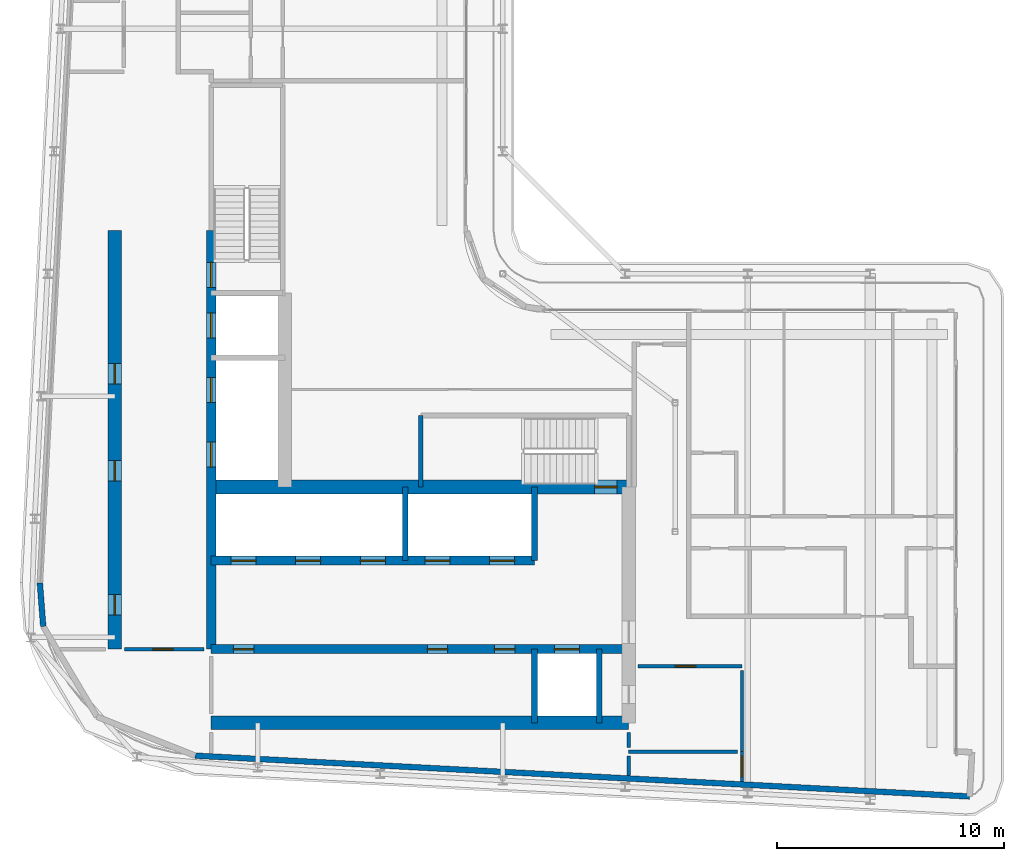
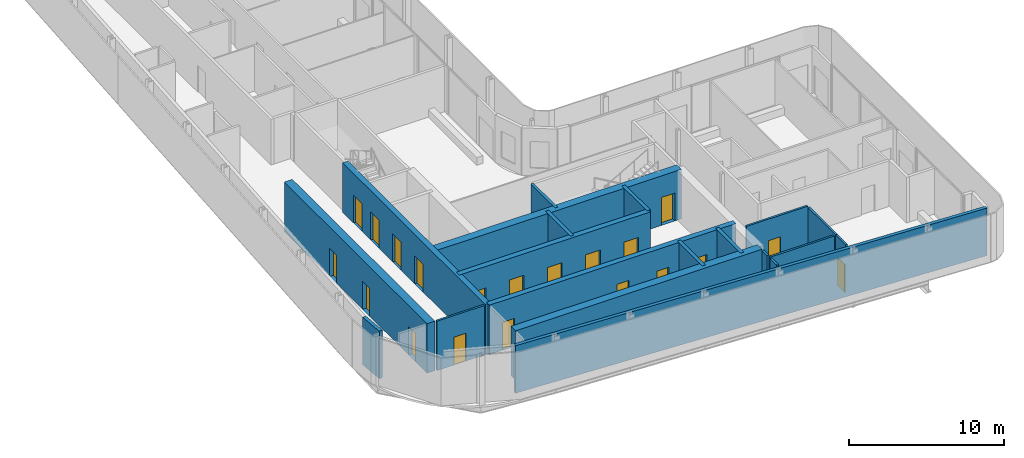
# One storey, part 11 of 21: 20 doors, 20 walls, 20 openings.
"""IFC4 building model written with IfcOpenShell, lengths in metres."""

from ifc_helpers import new_model, si_unit, direction, frame, frame_2d, origin, place, context, subcontext, project, spatial, rectangle, extrude, source, transform, mapped, material, layer, layer_set, type_object, element, fill, save


model = new_model("IFC4")

# Units and contexts
model_context = context("Model", 3, precision=1e-05, world=origin(), true_north=direction((0.0, 1.0)))
body_context = subcontext(model_context, "Body", "Model", "MODEL_VIEW")
ifc_project = project(units=[si_unit("LENGTHUNIT", "METRE"), si_unit("AREAUNIT", "SQUARE_METRE"), si_unit("VOLUMEUNIT", "CUBIC_METRE"), si_unit("PLANEANGLEUNIT", "RADIAN"), si_unit("MASSUNIT", "GRAM", prefix="KILO")], contexts=[model_context])

# Site, building, storey
site_placement = place(None, origin())
site = spatial("IfcSite", under=ifc_project, at=site_placement, CompositionType="ELEMENT")
building_placement = place(site_placement, origin())
building = spatial("IfcBuilding", under=site, at=building_placement, Name="Kheshtan School and Residences Tower", CompositionType="ELEMENT")
storey_placement = place(building_placement, frame((0.0, 0.0, 317.60009765625)))
storey = spatial("IfcBuildingStorey", under=building, at=storey_placement, Name="L75", CompositionType="ELEMENT", Elevation=317.60009765625)

# Wall, openings, doors
ifc_material_1 = material(Name="Concrete C50/60", Category="concrete")
ifc_layer_1 = layer(ifc_material_1, 0.39990234375)
ifc_layer_set_1 = layer_set([ifc_layer_1], Name="Core wall 400 Concrete C50/60")
wall_type_1 = type_object("IfcWallType", Name="Core wall 400 Concrete C50/60", PredefinedType="SHEAR", material=ifc_layer_set_1)
wall_1_placement = place(storey_placement, frame((34.75, 29.050048828125, 0.0), z_axis=(0.0, 0.0, 1.0), x_axis=(1.0, 0.0, 0.0)))
wall_1 = element("IfcWall", 1, at=wall_1_placement, inside=storey, type_object=wall_type_1, Name="Core wall CW-HALL-S1", PredefinedType="SHEAR", context=body_context, shape_type="SweptSolid", body=[
    extrude(rectangle(XDim=18.39990234375, YDim=0.39990234375, at=frame_2d((9.199951171875, 0.0))), origin(), (0.0, 0.0, 1.0), 3.89990234375),
])
opening_1_placement = place(wall_1_placement, frame((15.125, 0.0, 0.0)))
opening_1 = element("IfcOpeningElement", 2, at=opening_1_placement, cuts=wall_1, Name="Opening LD", PredefinedType="OPENING", context=body_context, shape_type="SweptSolid", body=[
    extrude(rectangle(XDim=1.10009765625, YDim=2.199951171875, at=frame_2d((0.550048828125, 1.10009765625))), frame((0.0, 0.2099609375, 0.0), z_axis=(0.0, -1.0, 0.0), x_axis=(1.0, 0.0, 0.0)), (0.0, 0.0, 1.0), 0.419921875),
])
opening_2_placement = place(wall_1_placement, frame((0.97509765625, 0.0, 0.0)))
opening_2 = element("IfcOpeningElement", 3, at=opening_2_placement, cuts=wall_1, Name="Opening SR90", PredefinedType="OPENING", context=body_context, shape_type="SweptSolid", body=[
    extrude(rectangle(XDim=0.89990234375, YDim=2.199951171875, at=frame_2d((0.449951171875, 1.10009765625))), frame((0.0, 0.2099609375, 0.0), z_axis=(0.0, -1.0, 0.0), x_axis=(1.0, 0.0, 0.0)), (0.0, 0.0, 1.0), 0.419921875),
])
opening_3_placement = place(wall_1_placement, frame((9.52490234375, 0.0, 0.0)))
opening_3 = element("IfcOpeningElement", 4, at=opening_3_placement, cuts=wall_1, Name="Opening SR90", PredefinedType="OPENING", context=body_context, shape_type="SweptSolid", body=[
    extrude(rectangle(XDim=0.89990234375, YDim=2.199951171875, at=frame_2d((0.449951171875, 1.10009765625))), frame((0.0, 0.2099609375, 0.0), z_axis=(0.0, -1.0, 0.0), x_axis=(1.0, 0.0, 0.0)), (0.0, 0.0, 1.0), 0.419921875),
])
opening_4_placement = place(wall_1_placement, frame((12.488037109375, 0.0, 0.0)))
opening_4 = element("IfcOpeningElement", 5, at=opening_4_placement, cuts=wall_1, Name="Opening SR90", PredefinedType="OPENING", context=body_context, shape_type="SweptSolid", body=[
    extrude(rectangle(XDim=0.89990234375, YDim=2.199951171875, at=frame_2d((0.449951171875, 1.10009765625))), frame((0.0, 0.2099609375, 0.0), z_axis=(0.0, -1.0, 0.0), x_axis=(1.0, 0.0, 0.0)), (0.0, 0.0, 1.0), 0.419921875),
])
ifc_material_2 = material(Name="Stainless steel door leaves", Category="steel")
door_type_1 = type_object("IfcDoorType", Name="Lift landing door 1100", OperationType="SLIDING_TO_LEFT", PredefinedType="DOOR", material=ifc_material_2)
shared_shape_1 = source(origin(), body_context, "Body", "SweptSolid", [
    extrude(rectangle(XDim=1.10009765625, YDim=2.199951171875, at=frame_2d((0.550048828125, 1.10009765625))), frame((0.0, 0.02490234375, 0.0), z_axis=(0.0, -1.0, 0.0), x_axis=(1.0, 0.0, 0.0)), (0.0, 0.0, 1.0), 0.050048828125),
])
door_1_placement = place(opening_1_placement, origin())
door_1 = element("IfcDoor", 6, at=door_1_placement, inside=storey, type_object=door_type_1, Name="Lift FFL2 landing door", OperationType="SLIDING_TO_LEFT", OverallHeight=2.199951171875, OverallWidth=1.10009765625, PredefinedType="DOOR", context=body_context, shape_type="MappedRepresentation", body=[
    mapped(shared_shape_1, transform((0.0, 0.0, 0.0), x_axis=(1.0, 0.0, 0.0), y_axis=(0.0, 1.0, 0.0), z_axis=(0.0, 0.0, 1.0), scale=1.0)),
])
fill(opening_1, door_1)
ifc_material_3 = material(Name="Steel door leaf, galvanised", Category="steel")
door_type_2 = type_object("IfcDoorType", Name="Service room door 900 steel 90 min", OperationType="SINGLE_SWING_LEFT", PredefinedType="DOOR", material=ifc_material_3)
shared_shape_2 = source(origin(), body_context, "Body", "SweptSolid", [
    extrude(rectangle(XDim=0.89990234375, YDim=2.199951171875, at=frame_2d((0.449951171875, 1.10009765625))), frame((0.0, 0.02490234375, 0.0), z_axis=(0.0, -1.0, 0.0), x_axis=(1.0, 0.0, 0.0)), (0.0, 0.0, 1.0), 0.050048828125),
])
door_2_placement = place(opening_2_placement, origin())
door_2 = element("IfcDoor", 7, at=door_2_placement, inside=storey, type_object=door_type_2, Name="Service room door", OperationType="SINGLE_SWING_LEFT", OverallHeight=2.199951171875, OverallWidth=0.89990234375, PredefinedType="DOOR", context=body_context, shape_type="MappedRepresentation", body=[
    mapped(shared_shape_2, transform((0.0, 0.0, 0.0), x_axis=(1.0, 0.0, 0.0), y_axis=(0.0, 1.0, 0.0), z_axis=(0.0, 0.0, 1.0), scale=1.0)),
])
fill(opening_2, door_2)
door_3_placement = place(opening_3_placement, origin())
door_3 = element("IfcDoor", 8, at=door_3_placement, inside=storey, type_object=door_type_2, Name="Service room door", OperationType="SINGLE_SWING_RIGHT", OverallHeight=2.199951171875, OverallWidth=0.89990234375, PredefinedType="DOOR", context=body_context, shape_type="MappedRepresentation", body=[
    mapped(shared_shape_2, transform((0.0, 0.0, 0.0), x_axis=(1.0, 0.0, 0.0), y_axis=(0.0, 1.0, 0.0), z_axis=(0.0, 0.0, 1.0), scale=1.0)),
])
fill(opening_3, door_3)
door_4_placement = place(opening_4_placement, origin())
door_4 = element("IfcDoor", 9, at=door_4_placement, inside=storey, type_object=door_type_2, Name="Service room door", OperationType="SINGLE_SWING_LEFT", OverallHeight=2.199951171875, OverallWidth=0.89990234375, PredefinedType="DOOR", context=body_context, shape_type="MappedRepresentation", body=[
    mapped(shared_shape_2, transform((0.0, 0.0, 0.0), x_axis=(1.0, 0.0, 0.0), y_axis=(0.0, 1.0, 0.0), z_axis=(0.0, 0.0, 1.0), scale=1.0)),
])
fill(opening_4, door_4)

wall_2_placement = place(storey_placement, frame((34.75, 32.949951171875, 0.0), z_axis=(0.0, 0.0, 1.0), x_axis=(1.0, 0.0, 0.0)))
wall_2 = element("IfcWall", 10, at=wall_2_placement, inside=storey, type_object=wall_type_1, Name="Core wall CW-HALL-S2", PredefinedType="SHEAR", context=body_context, shape_type="SweptSolid", body=[
    extrude(rectangle(XDim=14.25, YDim=0.39990234375, at=frame_2d((7.125, 0.0))), origin(), (0.0, 0.0, 1.0), 3.89990234375),
])
opening_5_placement = place(wall_2_placement, frame((0.875, 0.0, 0.0)))
opening_5 = element("IfcOpeningElement", 11, at=opening_5_placement, cuts=wall_2, Name="Opening LD", PredefinedType="OPENING", context=body_context, shape_type="SweptSolid", body=[
    extrude(rectangle(XDim=1.10009765625, YDim=2.199951171875, at=frame_2d((0.550048828125, 1.10009765625))), frame((0.0, 0.2099609375, 0.0), z_axis=(0.0, -1.0, 0.0), x_axis=(1.0, 0.0, 0.0)), (0.0, 0.0, 1.0), 0.419921875),
])
opening_6_placement = place(wall_2_placement, frame((3.72509765625, 0.0, 0.0)))
opening_6 = element("IfcOpeningElement", 12, at=opening_6_placement, cuts=wall_2, Name="Opening LD", PredefinedType="OPENING", context=body_context, shape_type="SweptSolid", body=[
    extrude(rectangle(XDim=1.10009765625, YDim=2.199951171875, at=frame_2d((0.550048828125, 1.10009765625))), frame((0.0, 0.2099609375, 0.0), z_axis=(0.0, -1.0, 0.0), x_axis=(1.0, 0.0, 0.0)), (0.0, 0.0, 1.0), 0.419921875),
])
opening_7_placement = place(wall_2_placement, frame((6.574951171875, 0.0, 0.0)))
opening_7 = element("IfcOpeningElement", 13, at=opening_7_placement, cuts=wall_2, Name="Opening LD", PredefinedType="OPENING", context=body_context, shape_type="SweptSolid", body=[
    extrude(rectangle(XDim=1.10009765625, YDim=2.199951171875, at=frame_2d((0.550048828125, 1.10009765625))), frame((0.0, 0.2099609375, 0.0), z_axis=(0.0, -1.0, 0.0), x_axis=(1.0, 0.0, 0.0)), (0.0, 0.0, 1.0), 0.419921875),
])
opening_8_placement = place(wall_2_placement, frame((9.425048828125, 0.0, 0.0)))
opening_8 = element("IfcOpeningElement", 14, at=opening_8_placement, cuts=wall_2, Name="Opening LD", PredefinedType="OPENING", context=body_context, shape_type="SweptSolid", body=[
    extrude(rectangle(XDim=1.10009765625, YDim=2.199951171875, at=frame_2d((0.550048828125, 1.10009765625))), frame((0.0, 0.2099609375, 0.0), z_axis=(0.0, -1.0, 0.0), x_axis=(1.0, 0.0, 0.0)), (0.0, 0.0, 1.0), 0.419921875),
])
opening_9_placement = place(wall_2_placement, frame((12.27490234375, 0.0, 0.0)))
opening_9 = element("IfcOpeningElement", 15, at=opening_9_placement, cuts=wall_2, Name="Opening LD", PredefinedType="OPENING", context=body_context, shape_type="SweptSolid", body=[
    extrude(rectangle(XDim=1.10009765625, YDim=2.199951171875, at=frame_2d((0.550048828125, 1.10009765625))), frame((0.0, 0.2099609375, 0.0), z_axis=(0.0, -1.0, 0.0), x_axis=(1.0, 0.0, 0.0)), (0.0, 0.0, 1.0), 0.419921875),
])
door_5_placement = place(opening_5_placement, origin())
door_5 = element("IfcDoor", 16, at=door_5_placement, inside=storey, type_object=door_type_1, Name="Lift P12 landing door", OperationType="SLIDING_TO_LEFT", OverallHeight=2.199951171875, OverallWidth=1.10009765625, PredefinedType="DOOR", context=body_context, shape_type="MappedRepresentation", body=[
    mapped(shared_shape_1, transform((0.0, 0.0, 0.0), x_axis=(1.0, 0.0, 0.0), y_axis=(0.0, 1.0, 0.0), z_axis=(0.0, 0.0, 1.0), scale=1.0)),
])
fill(opening_5, door_5)
door_6_placement = place(opening_6_placement, origin())
door_6 = element("IfcDoor", 17, at=door_6_placement, inside=storey, type_object=door_type_1, Name="Lift P13 landing door", OperationType="SLIDING_TO_LEFT", OverallHeight=2.199951171875, OverallWidth=1.10009765625, PredefinedType="DOOR", context=body_context, shape_type="MappedRepresentation", body=[
    mapped(shared_shape_1, transform((0.0, 0.0, 0.0), x_axis=(1.0, 0.0, 0.0), y_axis=(0.0, 1.0, 0.0), z_axis=(0.0, 0.0, 1.0), scale=1.0)),
])
fill(opening_6, door_6)
door_7_placement = place(opening_7_placement, origin())
door_7 = element("IfcDoor", 18, at=door_7_placement, inside=storey, type_object=door_type_1, Name="Lift P14 landing door", OperationType="SLIDING_TO_LEFT", OverallHeight=2.199951171875, OverallWidth=1.10009765625, PredefinedType="DOOR", context=body_context, shape_type="MappedRepresentation", body=[
    mapped(shared_shape_1, transform((0.0, 0.0, 0.0), x_axis=(1.0, 0.0, 0.0), y_axis=(0.0, 1.0, 0.0), z_axis=(0.0, 0.0, 1.0), scale=1.0)),
])
fill(opening_7, door_7)
door_8_placement = place(opening_8_placement, origin())
door_8 = element("IfcDoor", 19, at=door_8_placement, inside=storey, type_object=door_type_1, Name="Lift P15 landing door", OperationType="SLIDING_TO_LEFT", OverallHeight=2.199951171875, OverallWidth=1.10009765625, PredefinedType="DOOR", context=body_context, shape_type="MappedRepresentation", body=[
    mapped(shared_shape_1, transform((0.0, 0.0, 0.0), x_axis=(1.0, 0.0, 0.0), y_axis=(0.0, 1.0, 0.0), z_axis=(0.0, 0.0, 1.0), scale=1.0)),
])
fill(opening_8, door_8)
door_9_placement = place(opening_9_placement, origin())
door_9 = element("IfcDoor", 20, at=door_9_placement, inside=storey, type_object=door_type_1, Name="Lift P16 landing door", OperationType="SLIDING_TO_LEFT", OverallHeight=2.199951171875, OverallWidth=1.10009765625, PredefinedType="DOOR", context=body_context, shape_type="MappedRepresentation", body=[
    mapped(shared_shape_1, transform((0.0, 0.0, 0.0), x_axis=(1.0, 0.0, 0.0), y_axis=(0.0, 1.0, 0.0), z_axis=(0.0, 0.0, 1.0), scale=1.0)),
])
fill(opening_9, door_9)

wall_3_placement = place(storey_placement, frame((34.75, 29.050048828125, 0.0), z_axis=(0.0, 0.0, 1.0), x_axis=(0.0, 1.0, 0.0)))
wall_3 = element("IfcWall", 21, at=wall_3_placement, inside=storey, type_object=wall_type_1, Name="Core wall CW-HALL-W1", PredefinedType="SHEAR", context=body_context, shape_type="SweptSolid", body=[
    extrude(rectangle(XDim=18.449951171875, YDim=0.39990234375, at=frame_2d((9.22509765625, 0.0))), origin(), (0.0, 0.0, 1.0), 3.89990234375),
])
opening_10_placement = place(wall_3_placement, frame((8.02490234375, 0.0, 0.0)))
opening_10 = element("IfcOpeningElement", 22, at=opening_10_placement, cuts=wall_3, Name="Opening LD", PredefinedType="OPENING", context=body_context, shape_type="SweptSolid", body=[
    extrude(rectangle(XDim=1.10009765625, YDim=2.199951171875, at=frame_2d((0.550048828125, 1.10009765625))), frame((0.0, 0.2099609375, 0.0), z_axis=(0.0, -1.0, 0.0), x_axis=(1.0, 0.0, 0.0)), (0.0, 0.0, 1.0), 0.419921875),
])
opening_11_placement = place(wall_3_placement, frame((10.875, 0.0, 0.0)))
opening_11 = element("IfcOpeningElement", 23, at=opening_11_placement, cuts=wall_3, Name="Opening LD", PredefinedType="OPENING", context=body_context, shape_type="SweptSolid", body=[
    extrude(rectangle(XDim=1.10009765625, YDim=2.199951171875, at=frame_2d((0.550048828125, 1.10009765625))), frame((0.0, 0.2099609375, 0.0), z_axis=(0.0, -1.0, 0.0), x_axis=(1.0, 0.0, 0.0)), (0.0, 0.0, 1.0), 0.419921875),
])
opening_12_placement = place(wall_3_placement, frame((13.72509765625, 0.0, 0.0)))
opening_12 = element("IfcOpeningElement", 24, at=opening_12_placement, cuts=wall_3, Name="Opening LD", PredefinedType="OPENING", context=body_context, shape_type="SweptSolid", body=[
    extrude(rectangle(XDim=1.10009765625, YDim=2.199951171875, at=frame_2d((0.550048828125, 1.10009765625))), frame((0.0, 0.2099609375, 0.0), z_axis=(0.0, -1.0, 0.0), x_axis=(1.0, 0.0, 0.0)), (0.0, 0.0, 1.0), 0.419921875),
])
opening_13_placement = place(wall_3_placement, frame((15.949951171875, 0.0, 0.0)))
opening_13 = element("IfcOpeningElement", 25, at=opening_13_placement, cuts=wall_3, Name="Opening ST2D", PredefinedType="OPENING", context=body_context, shape_type="SweptSolid", body=[
    extrude(rectangle(XDim=1.10009765625, YDim=2.199951171875, at=frame_2d((0.550048828125, 1.10009765625))), frame((0.0, 0.2099609375, 0.0), z_axis=(0.0, -1.0, 0.0), x_axis=(1.0, 0.0, 0.0)), (0.0, 0.0, 1.0), 0.419921875),
])
door_10_placement = place(opening_10_placement, origin())
door_10 = element("IfcDoor", 26, at=door_10_placement, inside=storey, type_object=door_type_1, Name="Lift SV1 landing door", OperationType="SLIDING_TO_LEFT", OverallHeight=2.199951171875, OverallWidth=1.10009765625, PredefinedType="DOOR", context=body_context, shape_type="MappedRepresentation", body=[
    mapped(shared_shape_1, transform((0.0, 0.0, 0.0), x_axis=(1.0, 0.0, 0.0), y_axis=(0.0, 1.0, 0.0), z_axis=(0.0, 0.0, 1.0), scale=1.0)),
])
fill(opening_10, door_10)
door_11_placement = place(opening_11_placement, origin())
door_11 = element("IfcDoor", 27, at=door_11_placement, inside=storey, type_object=door_type_1, Name="Lift SV2 landing door", OperationType="SLIDING_TO_LEFT", OverallHeight=2.199951171875, OverallWidth=1.10009765625, PredefinedType="DOOR", context=body_context, shape_type="MappedRepresentation", body=[
    mapped(shared_shape_1, transform((0.0, 0.0, 0.0), x_axis=(1.0, 0.0, 0.0), y_axis=(0.0, 1.0, 0.0), z_axis=(0.0, 0.0, 1.0), scale=1.0)),
])
fill(opening_11, door_11)
door_12_placement = place(opening_12_placement, origin())
door_12 = element("IfcDoor", 28, at=door_12_placement, inside=storey, type_object=door_type_1, Name="Lift FFL1 landing door", OperationType="SLIDING_TO_LEFT", OverallHeight=2.199951171875, OverallWidth=1.10009765625, PredefinedType="DOOR", context=body_context, shape_type="MappedRepresentation", body=[
    mapped(shared_shape_1, transform((0.0, 0.0, 0.0), x_axis=(1.0, 0.0, 0.0), y_axis=(0.0, 1.0, 0.0), z_axis=(0.0, 0.0, 1.0), scale=1.0)),
])
fill(opening_12, door_12)
door_type_3 = type_object("IfcDoorType", Name="Stair door 1100 steel 90 min", OperationType="SINGLE_SWING_LEFT", PredefinedType="DOOR", material=ifc_material_3)
shared_shape_3 = source(origin(), body_context, "Body", "SweptSolid", [
    extrude(rectangle(XDim=1.10009765625, YDim=2.199951171875, at=frame_2d((0.550048828125, 1.10009765625))), frame((0.0, 0.02490234375, 0.0), z_axis=(0.0, -1.0, 0.0), x_axis=(1.0, 0.0, 0.0)), (0.0, 0.0, 1.0), 0.050048828125),
])
door_13_placement = place(opening_13_placement, origin())
door_13 = element("IfcDoor", 29, at=door_13_placement, inside=storey, type_object=door_type_3, Name="Stair ST2 door", OperationType="SINGLE_SWING_RIGHT", OverallHeight=2.199951171875, OverallWidth=1.10009765625, PredefinedType="DOOR", context=body_context, shape_type="MappedRepresentation", body=[
    mapped(shared_shape_3, transform((0.0, 0.0, 0.0), x_axis=(1.0, 0.0, 0.0), y_axis=(0.0, 1.0, 0.0), z_axis=(0.0, 0.0, 1.0), scale=1.0)),
])
fill(opening_13, door_13)

# Wall
ifc_material_4 = material(Name="Concrete C60/75", Category="concrete")
ifc_layer_2 = layer(ifc_material_4, 0.60009765625)
ifc_layer_set_2 = layer_set([ifc_layer_2], Name="Core wall 600 Concrete C60/75")
wall_type_2 = type_object("IfcWallType", Name="Core wall 600 Concrete C60/75", PredefinedType="SHEAR", material=ifc_layer_set_2)
wall_4_placement = place(storey_placement, frame((34.75, 25.800048828125, 0.0), z_axis=(0.0, 0.0, 1.0), x_axis=(1.0, 0.0, 0.0)))
element("IfcWall", 30, at=wall_4_placement, inside=storey, type_object=wall_type_2, Name="Core wall CW-REAR-S", PredefinedType="SHEAR", context=body_context, shape_type="SweptSolid", body=[
    extrude(rectangle(XDim=18.39990234375, YDim=0.60009765625, at=frame_2d((9.199951171875, 0.0))), origin(), (0.0, 0.0, 1.0), 3.89990234375),
])

# Wall, opening, door
wall_5_placement = place(storey_placement, frame((34.75, 36.199951171875, 0.0), z_axis=(0.0, 0.0, 1.0), x_axis=(1.0, 0.0, 0.0)))
wall_5 = element("IfcWall", 31, at=wall_5_placement, inside=storey, type_object=wall_type_2, Name="Core wall CW-FRONT-S", PredefinedType="SHEAR", context=body_context, shape_type="SweptSolid", body=[
    extrude(rectangle(XDim=18.39990234375, YDim=0.60009765625, at=frame_2d((9.199951171875, 0.0))), origin(), (0.0, 0.0, 1.0), 3.89990234375),
])
opening_14_placement = place(wall_5_placement, frame((16.89990234375, 0.0, 0.0)))
opening_14 = element("IfcOpeningElement", 32, at=opening_14_placement, cuts=wall_5, Name="Opening ST1D", PredefinedType="OPENING", context=body_context, shape_type="SweptSolid", body=[
    extrude(rectangle(XDim=1.0, YDim=2.199951171875, at=frame_2d((0.5, 1.10009765625))), frame((0.0, 0.31005859375, 0.0), z_axis=(0.0, -1.0, 0.0), x_axis=(1.0, 0.0, 0.0)), (0.0, 0.0, 1.0), 0.6201171875),
])
shared_shape_4 = source(origin(), body_context, "Body", "SweptSolid", [
    extrude(rectangle(XDim=1.0, YDim=2.199951171875, at=frame_2d((0.5, 1.10009765625))), frame((0.0, 0.02490234375, 0.0), z_axis=(0.0, -1.0, 0.0), x_axis=(1.0, 0.0, 0.0)), (0.0, 0.0, 1.0), 0.050048828125),
])
door_14_placement = place(opening_14_placement, origin())
door_14 = element("IfcDoor", 33, at=door_14_placement, inside=storey, type_object=door_type_3, Name="Stair ST1 door", OperationType="SINGLE_SWING_RIGHT", OverallHeight=2.199951171875, OverallWidth=1.0, PredefinedType="DOOR", context=body_context, shape_type="MappedRepresentation", body=[
    mapped(shared_shape_4, transform((0.0, 0.0, 0.0), x_axis=(1.0, 0.0, 0.0), y_axis=(0.0, 1.0, 0.0), z_axis=(0.0, 0.0, 1.0), scale=1.0)),
])
fill(opening_14, door_14)

# Wall, openings, doors
wall_6_placement = place(storey_placement, frame((30.5, 29.050048828125, 0.0), z_axis=(0.0, 0.0, 1.0), x_axis=(0.0, 1.0, 0.0)))
wall_6 = element("IfcWall", 34, at=wall_6_placement, inside=storey, type_object=wall_type_2, Name="Core wall CW-REAR-W", PredefinedType="SHEAR", context=body_context, shape_type="SweptSolid", body=[
    extrude(rectangle(XDim=18.449951171875, YDim=0.60009765625, at=frame_2d((9.22509765625, 0.0))), origin(), (0.0, 0.0, 1.0), 3.89990234375),
])
opening_15_placement = place(wall_6_placement, frame((1.5, 0.0, 0.0)))
opening_15 = element("IfcOpeningElement", 35, at=opening_15_placement, cuts=wall_6, Name="Opening SR90", PredefinedType="OPENING", context=body_context, shape_type="SweptSolid", body=[
    extrude(rectangle(XDim=0.89990234375, YDim=2.199951171875, at=frame_2d((0.449951171875, 1.10009765625))), frame((0.0, 0.31005859375, 0.0), z_axis=(0.0, -1.0, 0.0), x_axis=(1.0, 0.0, 0.0)), (0.0, 0.0, 1.0), 0.6201171875),
])
opening_16_placement = place(wall_6_placement, frame((7.406005859375, 0.0, 0.0)))
opening_16 = element("IfcOpeningElement", 36, at=opening_16_placement, cuts=wall_6, Name="Opening SR90", PredefinedType="OPENING", context=body_context, shape_type="SweptSolid", body=[
    extrude(rectangle(XDim=0.89990234375, YDim=2.199951171875, at=frame_2d((0.449951171875, 1.10009765625))), frame((0.0, 0.31005859375, 0.0), z_axis=(0.0, -1.0, 0.0), x_axis=(1.0, 0.0, 0.0)), (0.0, 0.0, 1.0), 0.6201171875),
])
opening_17_placement = place(wall_6_placement, frame((11.68798828125, 0.0, 0.0)))
opening_17 = element("IfcOpeningElement", 37, at=opening_17_placement, cuts=wall_6, Name="Opening SR90", PredefinedType="OPENING", context=body_context, shape_type="SweptSolid", body=[
    extrude(rectangle(XDim=0.89990234375, YDim=2.199951171875, at=frame_2d((0.449951171875, 1.10009765625))), frame((0.0, 0.31005859375, 0.0), z_axis=(0.0, -1.0, 0.0), x_axis=(1.0, 0.0, 0.0)), (0.0, 0.0, 1.0), 0.6201171875),
])
door_15_placement = place(opening_15_placement, origin())
door_15 = element("IfcDoor", 38, at=door_15_placement, inside=storey, type_object=door_type_2, Name="Service room door", OperationType="SINGLE_SWING_LEFT", OverallHeight=2.199951171875, OverallWidth=0.89990234375, PredefinedType="DOOR", context=body_context, shape_type="MappedRepresentation", body=[
    mapped(shared_shape_2, transform((0.0, 0.0, 0.0), x_axis=(1.0, 0.0, 0.0), y_axis=(0.0, 1.0, 0.0), z_axis=(0.0, 0.0, 1.0), scale=1.0)),
])
fill(opening_15, door_15)
door_16_placement = place(opening_16_placement, origin())
door_16 = element("IfcDoor", 39, at=door_16_placement, inside=storey, type_object=door_type_2, Name="Service room door", OperationType="SINGLE_SWING_RIGHT", OverallHeight=2.199951171875, OverallWidth=0.89990234375, PredefinedType="DOOR", context=body_context, shape_type="MappedRepresentation", body=[
    mapped(shared_shape_2, transform((0.0, 0.0, 0.0), x_axis=(1.0, 0.0, 0.0), y_axis=(0.0, 1.0, 0.0), z_axis=(0.0, 0.0, 1.0), scale=1.0)),
])
fill(opening_16, door_16)
door_17_placement = place(opening_17_placement, origin())
door_17 = element("IfcDoor", 40, at=door_17_placement, inside=storey, type_object=door_type_2, Name="Service room door", OperationType="SINGLE_SWING_LEFT", OverallHeight=2.199951171875, OverallWidth=0.89990234375, PredefinedType="DOOR", context=body_context, shape_type="MappedRepresentation", body=[
    mapped(shared_shape_2, transform((0.0, 0.0, 0.0), x_axis=(1.0, 0.0, 0.0), y_axis=(0.0, 1.0, 0.0), z_axis=(0.0, 0.0, 1.0), scale=1.0)),
])
fill(opening_17, door_17)

# Walls
ifc_material_5 = material(Name="Concrete C40/50 with ceramic cladding and mineral wool insulation", Category="concrete")
ifc_layer_3 = layer(ifc_material_5, 0.25)
ifc_layer_set_3 = layer_set([ifc_layer_3], Name="External wall 250 ceramic clad")
wall_type_3 = type_object("IfcWallType", Name="External wall 250 ceramic clad", PredefinedType="SOLIDWALL", material=ifc_layer_set_3)
wall_7_placement = place(storey_placement, frame((27.343994140625, 30.054931640625, 0.0), z_axis=(0.0, 0.0, 1.0), x_axis=(-0.077571675317, 0.99698677784, 0.0)))
element("IfcWall", 41, at=wall_7_placement, inside=storey, type_object=wall_type_3, Name="External wall L75 3", PredefinedType="SOLIDWALL", context=body_context, shape_type="SweptSolid", body=[
    extrude(rectangle(XDim=1.919921875, YDim=0.25, at=frame_2d((0.9599609375, 0.0))), origin(), (0.0, 0.0, 1.0), 3.75),
])
wall_8_placement = place(storey_placement, frame((68.18603515625, 22.554931640625, 0.0), z_axis=(0.0, 0.0, 1.0), x_axis=(-0.998616468095, 0.052584690257, 0.0)))
element("IfcWall", 42, at=wall_8_placement, inside=storey, type_object=wall_type_3, Name="External wall L75 16", PredefinedType="SOLIDWALL", context=body_context, shape_type="SweptSolid", body=[
    extrude(rectangle(XDim=34.1943359375, YDim=0.25, at=frame_2d((17.09716796875, 0.0))), origin(), (0.0, 0.0, 1.0), 3.75),
])

# Wall, opening, door
ifc_material_6 = material(Name="Fire-board shaft wall system")
ifc_layer_4 = layer(ifc_material_6, 0.14990234375)
ifc_layer_set_4 = layer_set([ifc_layer_4], Name="Service room wall 150")
wall_type_4 = type_object("IfcWallType", Name="Service room wall 150", PredefinedType="PARTITIONING", material=ifc_layer_set_4)
wall_9_placement = place(storey_placement, frame((30.919921875, 29.050048828125, 0.0), z_axis=(0.0, 0.0, 1.0), x_axis=(1.0, 0.0, 0.0)))
wall_9 = element("IfcWall", 43, at=wall_9_placement, inside=storey, type_object=wall_type_4, Name="Service room wall", PredefinedType="PARTITIONING", context=body_context, shape_type="SweptSolid", body=[
    extrude(rectangle(XDim=3.510009765625, YDim=0.14990234375, at=frame_2d((1.7548828125, 0.0))), origin(), (0.0, 0.0, 1.0), 3.89990234375),
])
opening_18_placement = place(wall_9_placement, frame((1.2548828125, 0.0, 0.0)))
opening_18 = element("IfcOpeningElement", 44, at=opening_18_placement, cuts=wall_9, Name="Opening SR90", PredefinedType="OPENING", context=body_context, shape_type="SweptSolid", body=[
    extrude(rectangle(XDim=0.89990234375, YDim=2.199951171875, at=frame_2d((0.449951171875, 1.10009765625))), frame((0.0, 0.0849609375, 0.0), z_axis=(0.0, -1.0, 0.0), x_axis=(1.0, 0.0, 0.0)), (0.0, 0.0, 1.0), 0.169921875),
])
door_18_placement = place(opening_18_placement, origin())
door_18 = element("IfcDoor", 45, at=door_18_placement, inside=storey, type_object=door_type_2, Name="Service room door", OperationType="SINGLE_SWING_RIGHT", OverallHeight=2.199951171875, OverallWidth=0.89990234375, PredefinedType="DOOR", context=body_context, shape_type="MappedRepresentation", body=[
    mapped(shared_shape_2, transform((0.0, 0.0, 0.0), x_axis=(1.0, 0.0, 0.0), y_axis=(0.0, 1.0, 0.0), z_axis=(0.0, 0.0, 1.0), scale=1.0)),
])
fill(opening_18, door_18)

wall_10_placement = place(storey_placement, frame((58.14990234375, 23.2109375, 0.0), z_axis=(0.0, 0.0, 1.0), x_axis=(0.0, 1.0, 0.0)))
wall_10 = element("IfcWall", 46, at=wall_10_placement, inside=storey, type_object=wall_type_4, Name="Service room wall", PredefinedType="PARTITIONING", context=body_context, shape_type="SweptSolid", body=[
    extrude(rectangle(XDim=1.317138671875, YDim=0.14990234375, at=frame_2d((0.65869140625, 0.0))), origin(), (0.0, 0.0, 1.0), 3.89990234375),
])
opening_19_placement = place(wall_10_placement, frame((0.222900390625, 0.0, 0.0)))
opening_19 = element("IfcOpeningElement", 47, at=opening_19_placement, cuts=wall_10, Name="Opening SR90", PredefinedType="OPENING", context=body_context, shape_type="SweptSolid", body=[
    extrude(rectangle(XDim=0.89990234375, YDim=2.199951171875, at=frame_2d((0.449951171875, 1.10009765625))), frame((0.0, 0.0849609375, 0.0), z_axis=(0.0, -1.0, 0.0), x_axis=(1.0, 0.0, 0.0)), (0.0, 0.0, 1.0), 0.169921875),
])
door_19_placement = place(opening_19_placement, origin())
door_19 = element("IfcDoor", 48, at=door_19_placement, inside=storey, type_object=door_type_2, Name="Service room door", OperationType="SINGLE_SWING_LEFT", OverallHeight=2.199951171875, OverallWidth=0.89990234375, PredefinedType="DOOR", context=body_context, shape_type="MappedRepresentation", body=[
    mapped(shared_shape_2, transform((0.0, 0.0, 0.0), x_axis=(1.0, 0.0, 0.0), y_axis=(0.0, 1.0, 0.0), z_axis=(0.0, 0.0, 1.0), scale=1.0)),
])
fill(opening_19, door_19)

# Walls
wall_11_placement = place(storey_placement, frame((53.14990234375, 24.528076171875, 0.0), z_axis=(0.0, 0.0, 1.0), x_axis=(1.0, 0.0, 0.0)))
element("IfcWall", 49, at=wall_11_placement, inside=storey, type_object=wall_type_4, Name="Service room wall", PredefinedType="PARTITIONING", context=body_context, shape_type="SweptSolid", body=[
    extrude(rectangle(XDim=4.80517578125, YDim=0.14990234375, at=frame_2d((2.402587890625, 0.0))), origin(), (0.0, 0.0, 1.0), 3.89990234375),
])
wall_12_placement = place(storey_placement, frame((53.14990234375, 23.47509765625, 0.0), z_axis=(0.0, 0.0, 1.0), x_axis=(0.0, 1.0, 0.0)))
element("IfcWall", 50, at=wall_12_placement, inside=storey, type_object=wall_type_4, Name="Service room wall", PredefinedType="PARTITIONING", context=body_context, shape_type="SweptSolid", body=[
    extrude(rectangle(XDim=0.85791015625, YDim=0.14990234375, at=frame_2d((0.428955078125, 0.0))), origin(), (0.0, 0.0, 1.0), 3.89990234375),
])

# Wall, opening, door
wall_13_placement = place(storey_placement, frame((53.570068359375, 28.300048828125, 0.0), z_axis=(0.0, 0.0, 1.0), x_axis=(1.0, 0.0, 0.0)))
wall_13 = element("IfcWall", 51, at=wall_13_placement, inside=storey, type_object=wall_type_4, Name="Service room wall", PredefinedType="PARTITIONING", context=body_context, shape_type="SweptSolid", body=[
    extrude(rectangle(XDim=4.579833984375, YDim=0.14990234375, at=frame_2d((2.2900390625, 0.0))), origin(), (0.0, 0.0, 1.0), 3.89990234375),
])
opening_20_placement = place(wall_13_placement, frame((1.6298828125, 0.0, 0.0)))
opening_20 = element("IfcOpeningElement", 52, at=opening_20_placement, cuts=wall_13, Name="Opening SR90", PredefinedType="OPENING", context=body_context, shape_type="SweptSolid", body=[
    extrude(rectangle(XDim=0.89990234375, YDim=2.199951171875, at=frame_2d((0.449951171875, 1.10009765625))), frame((0.0, 0.0849609375, 0.0), z_axis=(0.0, -1.0, 0.0), x_axis=(1.0, 0.0, 0.0)), (0.0, 0.0, 1.0), 0.169921875),
])
door_20_placement = place(opening_20_placement, origin())
door_20 = element("IfcDoor", 53, at=door_20_placement, inside=storey, type_object=door_type_2, Name="Service room door", OperationType="SINGLE_SWING_LEFT", OverallHeight=2.199951171875, OverallWidth=0.89990234375, PredefinedType="DOOR", context=body_context, shape_type="MappedRepresentation", body=[
    mapped(shared_shape_2, transform((0.0, 0.0, 0.0), x_axis=(1.0, 0.0, 0.0), y_axis=(0.0, 1.0, 0.0), z_axis=(0.0, 0.0, 1.0), scale=1.0)),
])
fill(opening_20, door_20)

# Walls
wall_14_placement = place(storey_placement, frame((53.14990234375, 24.722900390625, 0.0), z_axis=(0.0, 0.0, 1.0), x_axis=(0.0, 1.0, 0.0)))
element("IfcWall", 54, at=wall_14_placement, inside=storey, type_object=wall_type_4, Name="Service room wall", PredefinedType="PARTITIONING", context=body_context, shape_type="SweptSolid", body=[
    extrude(rectangle(XDim=0.656982421875, YDim=0.14990234375, at=frame_2d((0.32861328125, 0.0))), origin(), (0.0, 0.0, 1.0), 3.89990234375),
])
wall_15_placement = place(storey_placement, frame((58.14990234375, 24.528076171875, 0.0), z_axis=(0.0, 0.0, 1.0), x_axis=(0.0, 1.0, 0.0)))
element("IfcWall", 55, at=wall_15_placement, inside=storey, type_object=wall_type_4, Name="Service room wall", PredefinedType="PARTITIONING", context=body_context, shape_type="SweptSolid", body=[
    extrude(rectangle(XDim=3.576904296875, YDim=0.14990234375, at=frame_2d((1.78857421875, 0.0))), origin(), (0.0, 0.0, 1.0), 3.89990234375),
])
ifc_layer_5 = layer(ifc_material_6, 0.25)
ifc_layer_set_5 = layer_set([ifc_layer_5], Name="Shaft lining wall 250")
wall_type_5 = type_object("IfcWallType", Name="Shaft lining wall 250", PredefinedType="PARTITIONING", material=ifc_layer_set_5)
for number, where, z_axis, x_axis, name in (
    (56, (43.300048828125, 32.949951171875, 0.0), (0.0, 0.0, 1.0), (0.0, 1.0, 0.0), "Shaft lining wall"),
    (57, (49.0, 25.800048828125, 0.0), (0.0, 0.0, 1.0), (0.0, 1.0, 0.0), "Shaft lining wall"),
    (58, (49.0, 32.949951171875, 0.0), (0.0, 0.0, 1.0), (0.0, 1.0, 0.0), "Shaft lining wall"),
    (59, (51.85009765625, 25.800048828125, 0.0), (0.0, 0.0, 1.0), (0.0, 1.0, 0.0), "Shaft lining wall"),
):
    element("IfcWall", number, at=place(storey_placement, frame(where, z_axis=z_axis, x_axis=x_axis)), inside=storey, type_object=wall_type_5, Name=name, PredefinedType="PARTITIONING", context=body_context, shape_type="SweptSolid", body=[
        extrude(rectangle(XDim=3.25, YDim=0.25, at=frame_2d((1.625, 0.0))), origin(), (0.0, 0.0, 1.0), 3.89990234375),
    ])
ifc_material_7 = material(Name="Concrete C40/50", Category="concrete")
ifc_layer_6 = layer(ifc_material_7, 0.199951171875)
ifc_layer_set_6 = layer_set([ifc_layer_6], Name="Stair enclosure wall 200 Concrete C40/50")
wall_type_6 = type_object("IfcWallType", Name="Stair enclosure wall 200 Concrete C40/50", PredefinedType="SHEAR", material=ifc_layer_set_6)
wall_16_placement = place(storey_placement, frame((43.989990234375, 36.199951171875, 0.0), z_axis=(0.0, 0.0, 1.0), x_axis=(0.0, 1.0, 0.0)))
element("IfcWall", 60, at=wall_16_placement, inside=storey, type_object=wall_type_6, Name="Stair enclosure wall ST1", PredefinedType="SHEAR", context=body_context, shape_type="SweptSolid", body=[
    extrude(rectangle(XDim=3.150146484375, YDim=0.199951171875, at=frame_2d((1.5751953125, 0.0))), origin(), (0.0, 0.0, 1.0), 3.89990234375),
])

save(model, "model.ifc")
